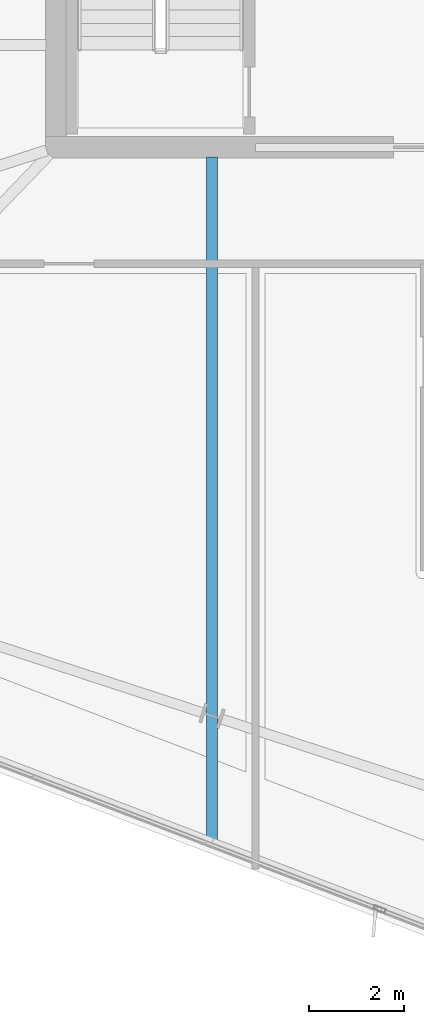
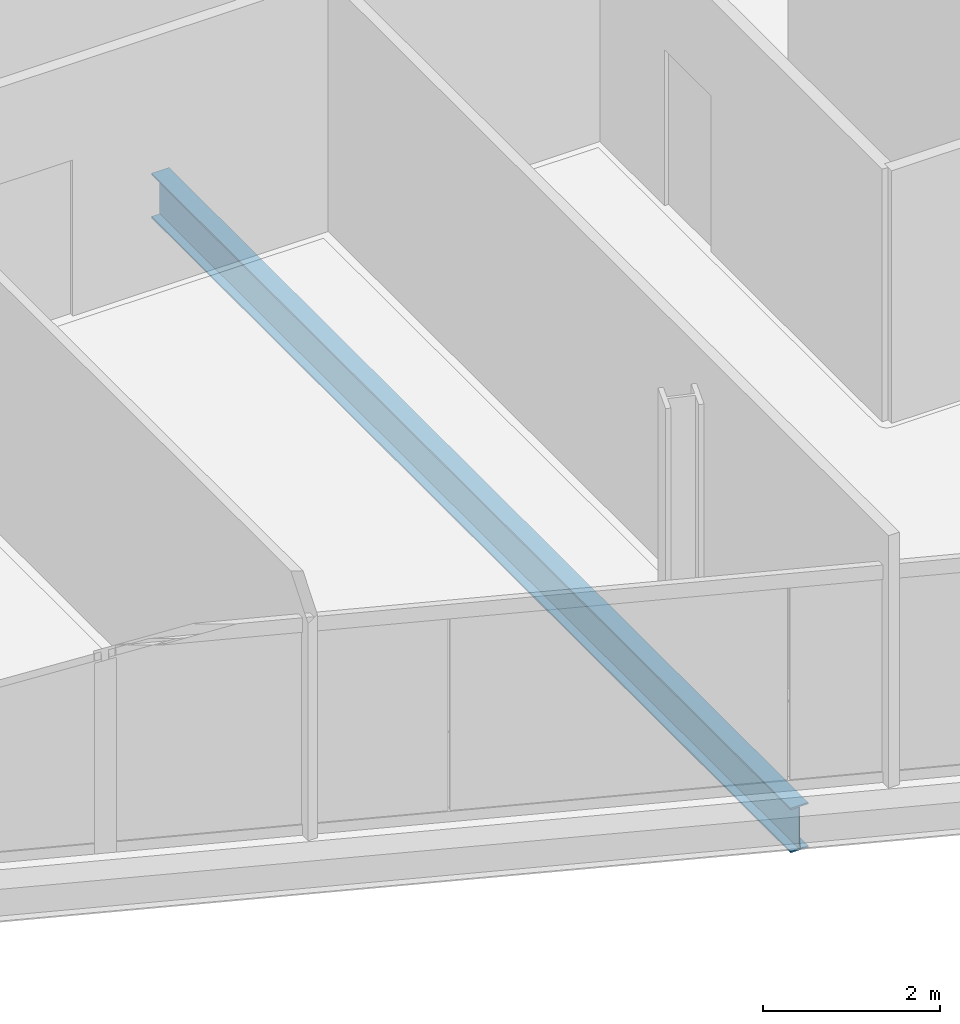
# One storey, part 4 of 27: 1 beam.
"""IFC4 building model written with IfcOpenShell, lengths in metres."""

from ifc_helpers import new_model, si_unit, direction, frame, origin, origin_2d, place, context, subcontext, project, spatial, i_section, extrude, material, material_profile, profile_set, type_object, element, save


model = new_model("IFC4")

# Units and contexts
model_context = context("Model", 3, precision=1e-05, world=origin(), true_north=direction((0.0, 1.0)))
body_context = subcontext(model_context, "Body", "Model", "MODEL_VIEW")
ifc_project = project(units=[si_unit("LENGTHUNIT", "METRE"), si_unit("AREAUNIT", "SQUARE_METRE"), si_unit("VOLUMEUNIT", "CUBIC_METRE"), si_unit("PLANEANGLEUNIT", "RADIAN"), si_unit("MASSUNIT", "GRAM", prefix="KILO")], contexts=[model_context])

# Site, building, storey
site_placement = place(None, origin())
site = spatial("IfcSite", under=ifc_project, at=site_placement, CompositionType="ELEMENT")
building_placement = place(site_placement, origin())
building = spatial("IfcBuilding", under=site, at=building_placement, Name="Haldenkirk Collegiate Tower", CompositionType="ELEMENT")
storey_placement = place(building_placement, frame((0.0, 0.0, 259.949951171875)))
storey = spatial("IfcBuildingStorey", under=building, at=storey_placement, Name="L65", CompositionType="ELEMENT", Elevation=259.949951171875)

# Beam
ifc_material = material(Name="Steel ASTM A992 Grade 50", Category="steel")
ifc_material_profile = material_profile(ifc_material, i_section(OverallWidth=0.22998046875, OverallDepth=0.616943359375, WebThickness=0.01318359375, FlangeThickness=0.022216796875, at=origin_2d()), Name="W24X94")
ifc_profile_set = profile_set([ifc_material_profile], Name="Steel ASTM A992 Grade 50")
beam_type = type_object("IfcBeamType", Name="BM-GIRDER-W24X94", PredefinedType="BEAM", material=ifc_profile_set)
beam_placement = place(storey_placement, frame((30.283203125, 3.365478515625, -0.578369140625), z_axis=(0.0, 1.0, 0.0), x_axis=(-1.0, 0.0, 0.0)))
element("IfcBeam", 1, at=beam_placement, inside=storey, type_object=beam_type, Name="L65 primary floor girder 15", PredefinedType="BEAM", context=body_context, shape_type="SweptSolid", body=[
    extrude(i_section(OverallWidth=0.22998046875, OverallDepth=0.616943359375, WebThickness=0.01318359375, FlangeThickness=0.022216796875, at=origin_2d()), origin(), (0.0, 0.0, 1.0), 14.429443359375),
])

save(model, "model.ifc")
